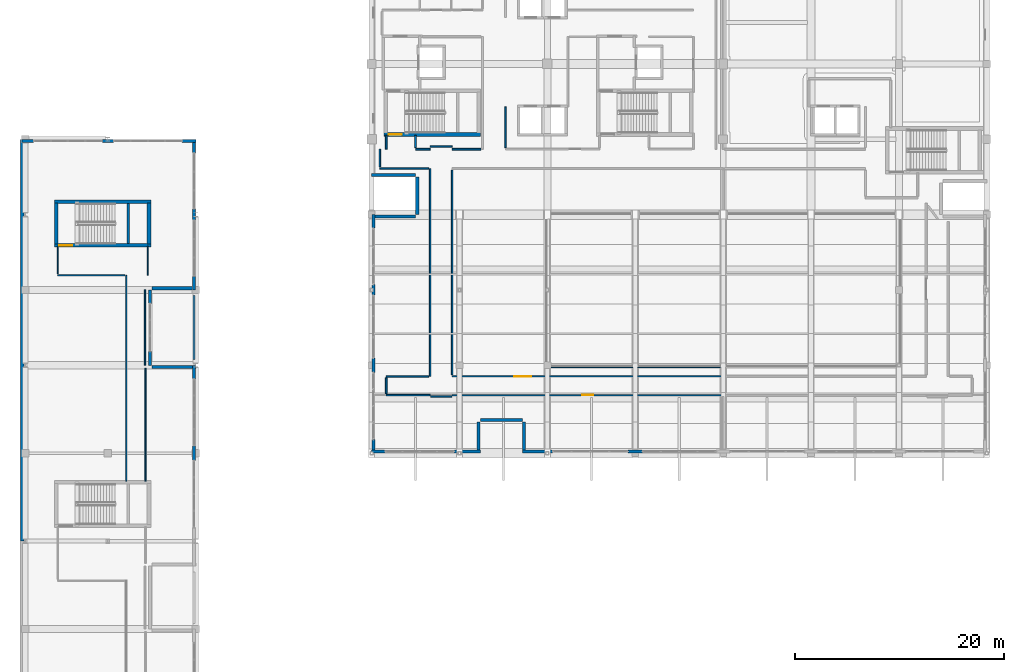
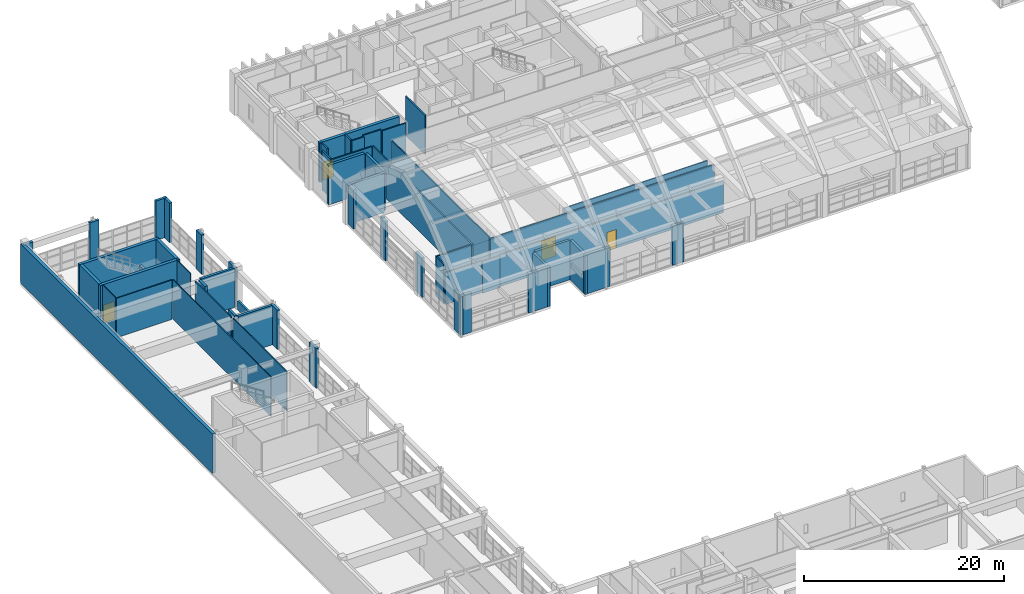
# One storey, part 88 of 103: 57 walls, 4 doors, 4 openings.
"""IFC4 building model written with IfcOpenShell, lengths in metres."""

from ifc_helpers import new_model, si_unit, direction, frame, frame_2d, origin, place, context, subcontext, project, spatial, rectangle, extrude, material, layer, layer_set, type_object, element, fill, save


model = new_model("IFC4")

# Units and contexts
model_context = context("Model", 3, precision=1e-05, world=origin(), true_north=direction((0.0, 1.0)))
body_context = subcontext(model_context, "Body", "Model", "MODEL_VIEW")
ifc_project = project(units=[si_unit("LENGTHUNIT", "METRE"), si_unit("AREAUNIT", "SQUARE_METRE"), si_unit("VOLUMEUNIT", "CUBIC_METRE"), si_unit("PLANEANGLEUNIT", "RADIAN"), si_unit("MASSUNIT", "GRAM", prefix="KILO")], contexts=[model_context])

# Site, building, storey
site_placement = place(None, origin())
site = spatial("IfcSite", under=ifc_project, at=site_placement, CompositionType="ELEMENT")
building_placement = place(site_placement, origin())
building = spatial("IfcBuilding", under=site, at=building_placement, Name="Quendrovan Civic Courthouse", CompositionType="ELEMENT")
storey_placement = place(building_placement, frame((0.0, 0.0, 15.300048828125)))
storey = spatial("IfcBuildingStorey", under=building, at=storey_placement, Name="L04", CompositionType="ELEMENT", Elevation=15.300048828125)

# Wall
ifc_material_1 = material(Name="Acoustic gypsum stud partition")
ifc_layer_1 = layer(ifc_material_1, 0.139892578125, Name="Acoustic gypsum stud partition")
ifc_layer_set_1 = layer_set([ifc_layer_1], Name="Acoustic gypsum stud partition")
wall_type_1 = type_object("IfcWallType", Name="WL-CHM-140", PredefinedType="PARTITIONING", material=ifc_layer_set_1)
wall_1_placement = place(storey_placement, frame((46.39990234375, 94.0, 0.0), z_axis=(0.0, 0.0, 1.0), x_axis=(0.0, 1.0, 0.0)))
element("IfcWall", 1, at=wall_1_placement, inside=storey, type_object=wall_type_1, Name="L04 Judges' Chambers Suite Partition 0609", PredefinedType="PARTITIONING", context=body_context, shape_type="SweptSolid", body=[
    extrude(rectangle(XDim=3.89990234375, YDim=0.139892578125, at=frame_2d((1.949951171875, 0.0))), origin(), (0.0, 0.0, 1.0), 4.820068359375),
])

# Wall, opening, door
ifc_material_2 = material(Name="Concrete C45/55", Category="concrete")
ifc_layer_2 = layer(ifc_material_2, 0.35009765625, Name="Concrete C45/55")
ifc_layer_set_2 = layer_set([ifc_layer_2], Name="Concrete C45/55")
wall_type_2 = type_object("IfcWallType", Name="WL-CORE-350", PredefinedType="SHEAR", material=ifc_layer_set_2)
wall_2_placement = place(storey_placement, frame((34.7900390625, 95.264892578125, 0.0), z_axis=(0.0, 0.0, 1.0), x_axis=(1.0, 0.0, 0.0)))
wall_2 = element("IfcWall", 2, at=wall_2_placement, inside=storey, type_object=wall_type_2, Name="L04 Core Shear Wall ST1-S", PredefinedType="SHEAR", context=body_context, shape_type="SweptSolid", body=[
    extrude(rectangle(XDim=9.219970703125, YDim=0.35009765625, at=frame_2d((4.60986328125, 0.0))), origin(), (0.0, 0.0, 1.0), 4.820068359375),
])
opening_1_placement = place(wall_2_placement, frame((0.449951171875, 0.0, 0.0)))
opening_1 = element("IfcOpeningElement", 3, at=opening_1_placement, cuts=wall_2, Name="Opening DS-ST1-L04", PredefinedType="OPENING", context=body_context, shape_type="SweptSolid", body=[
    extrude(rectangle(XDim=1.25, YDim=2.199951171875, at=frame_2d((0.625, 1.10009765625))), frame((0.0, 0.18505859375, 0.0), z_axis=(0.0, -1.0, 0.0), x_axis=(1.0, 0.0, 0.0)), (0.0, 0.0, 1.0), 0.3701171875),
])
ifc_material_3 = material(Name="Painted galvanized hollow-metal steel", Category="steel")
door_type_1 = type_object("IfcDoorType", Name="DR-STAIR-1250", OperationType="NOTDEFINED", PredefinedType="DOOR", material=ifc_material_3)
door_1_placement = place(opening_1_placement, origin())
door_1 = element("IfcDoor", 4, at=door_1_placement, inside=storey, type_object=door_type_1, Name="L04 Exit Stair ST1 Fire Door", OperationType="SINGLE_SWING_RIGHT", OverallHeight=2.199951171875, OverallWidth=1.25, PredefinedType="DOOR", context=body_context, shape_type="SweptSolid", body=[
    extrude(rectangle(XDim=1.25, YDim=2.199951171875, at=frame_2d((0.625, 1.10009765625))), frame((0.0, 0.02490234375, 0.0), z_axis=(0.0, -1.0, 0.0), x_axis=(1.0, 0.0, 0.0)), (0.0, 0.0, 1.0), 0.050048828125),
])
fill(opening_1, door_1)

wall_3_placement = place(storey_placement, frame((3.2900390625, 84.6650390625, 0.0), z_axis=(0.0, 0.0, 1.0), x_axis=(1.0, 0.0, 0.0)))
wall_3 = element("IfcWall", 5, at=wall_3_placement, inside=storey, type_object=wall_type_2, Name="L04 Core Shear Wall ST8-S", PredefinedType="SHEAR", context=body_context, shape_type="SweptSolid", body=[
    extrude(rectangle(XDim=9.219970703125, YDim=0.35009765625, at=frame_2d((4.60986328125, 0.0))), origin(), (0.0, 0.0, 1.0), 4.820068359375),
])
opening_2_placement = place(wall_3_placement, frame((0.449951171875, 0.0, 0.0)))
opening_2 = element("IfcOpeningElement", 6, at=opening_2_placement, cuts=wall_3, Name="Opening DS-ST8-L04", PredefinedType="OPENING", context=body_context, shape_type="SweptSolid", body=[
    extrude(rectangle(XDim=1.25, YDim=2.199951171875, at=frame_2d((0.625, 1.10009765625))), frame((0.0, 0.18505859375, 0.0), z_axis=(0.0, -1.0, 0.0), x_axis=(1.0, 0.0, 0.0)), (0.0, 0.0, 1.0), 0.3701171875),
])
door_2_placement = place(opening_2_placement, origin())
door_2 = element("IfcDoor", 7, at=door_2_placement, inside=storey, type_object=door_type_1, Name="L04 Exit Stair ST8 Fire Door", OperationType="SINGLE_SWING_LEFT", OverallHeight=2.199951171875, OverallWidth=1.25, PredefinedType="DOOR", context=body_context, shape_type="SweptSolid", body=[
    extrude(rectangle(XDim=1.25, YDim=2.199951171875, at=frame_2d((0.625, 1.10009765625))), frame((0.0, 0.02490234375, 0.0), z_axis=(0.0, -1.0, 0.0), x_axis=(1.0, 0.0, 0.0)), (0.0, 0.0, 1.0), 0.050048828125),
])
fill(opening_2, door_2)

# Walls
wall_4_placement = place(storey_placement, frame((12.510009765625, 88.8349609375, 0.0), z_axis=(0.0, 0.0, 1.0), x_axis=(-1.0, 0.0, 0.0)))
element("IfcWall", 8, at=wall_4_placement, inside=storey, type_object=wall_type_2, Name="L04 Core Shear Wall ST8-N", PredefinedType="SHEAR", context=body_context, shape_type="SweptSolid", body=[
    extrude(rectangle(XDim=9.219970703125, YDim=0.35009765625, at=frame_2d((4.60986328125, 0.0))), origin(), (0.0, 0.0, 1.0), 4.820068359375),
])
for number, where, z_axis, x_axis, name in (
    (9, (3.465087890625, 84.800048828125, 0.0), (0.0, 0.0, 1.0), (0.0, 1.0, 0.0), "L04 Core Shear Wall ST8-W"),
    (10, (12.3349609375, 88.699951171875, 0.0), (0.0, 0.0, 1.0), (0.0, -1.0, 0.0), "L04 Core Shear Wall ST8-E"),
):
    element("IfcWall", number, at=place(storey_placement, frame(where, z_axis=z_axis, x_axis=x_axis)), inside=storey, type_object=wall_type_2, Name=name, PredefinedType="SHEAR", context=body_context, shape_type="SweptSolid", body=[
        extrude(rectangle(XDim=3.89990234375, YDim=0.35009765625, at=frame_2d((1.949951171875, 0.0))), origin(), (0.0, 0.0, 1.0), 4.820068359375),
    ])
ifc_material_4 = material(Name="Precast concrete C45/55", Category="concrete")
ifc_layer_3 = layer(ifc_material_4, 0.2900390625, Name="Precast concrete C45/55")
ifc_layer_set_3 = layer_set([ifc_layer_3], Name="Precast concrete C45/55")
wall_type_3 = type_object("IfcWallType", Name="WL-EXT-PC290", PredefinedType="SOLIDWALL", material=ifc_layer_set_3)
wall_5_placement = place(storey_placement, frame((0.175048828125, 94.635009765625, 0.0), z_axis=(0.0, 0.0, 1.0), x_axis=(1.0, 0.0, 0.0)))
element("IfcWall", 11, at=wall_5_placement, inside=storey, type_object=wall_type_3, Name="L04 Exterior Pier Wall 327", PredefinedType="SOLIDWALL", context=body_context, shape_type="SweptSolid", body=[
    extrude(rectangle(XDim=1.125, YDim=0.2900390625, at=frame_2d((0.5625, 0.0))), origin(), (0.0, 0.0, 1.0), 4.820068359375),
])
wall_6_placement = place(storey_placement, frame((7.863037109375, 94.635009765625, 0.0), z_axis=(0.0, 0.0, 1.0), x_axis=(1.0, 0.0, 0.0)))
element("IfcWall", 12, at=wall_6_placement, inside=storey, type_object=wall_type_3, Name="L04 Exterior Pier Wall 328", PredefinedType="SOLIDWALL", context=body_context, shape_type="SweptSolid", body=[
    extrude(rectangle(XDim=1.073974609375, YDim=0.2900390625, at=frame_2d((0.537109375, 0.0))), origin(), (0.0, 0.0, 1.0), 4.820068359375),
])
for number, where, z_axis, x_axis, name in (
    (13, (15.5, 94.635009765625, 0.0), (0.0, 0.0, 1.0), (1.0, 0.0, 0.0), "L04 Exterior Pier Wall 329"),
    (14, (16.635009765625, 94.800048828125, 0.0), (0.0, 0.0, 1.0), (0.0, -1.0, 0.0), "L04 Exterior Pier Wall 330"),
):
    element("IfcWall", number, at=place(storey_placement, frame(where, z_axis=z_axis, x_axis=x_axis)), inside=storey, type_object=wall_type_3, Name=name, PredefinedType="SOLIDWALL", context=body_context, shape_type="SweptSolid", body=[
        extrude(rectangle(XDim=1.300048828125, YDim=0.2900390625, at=frame_2d((0.64990234375, 0.0))), origin(), (0.0, 0.0, 1.0), 4.820068359375),
    ])
wall_7_placement = place(storey_placement, frame((16.635009765625, 88.136962890625, 0.0), z_axis=(0.0, 0.0, 1.0), x_axis=(0.0, -1.0, 0.0)))
element("IfcWall", 15, at=wall_7_placement, inside=storey, type_object=wall_type_3, Name="L04 Exterior Pier Wall 331", PredefinedType="SOLIDWALL", context=body_context, shape_type="SweptSolid", body=[
    extrude(rectangle(XDim=1.073974609375, YDim=0.2900390625, at=frame_2d((0.537109375, 0.0))), origin(), (0.0, 0.0, 1.0), 4.820068359375),
])
wall_8_placement = place(storey_placement, frame((16.635009765625, 81.699951171875, 0.0), z_axis=(0.0, 0.0, 1.0), x_axis=(0.0, -1.0, 0.0)))
element("IfcWall", 16, at=wall_8_placement, inside=storey, type_object=wall_type_3, Name="L04 Exterior Pier Wall 332", PredefinedType="SOLIDWALL", context=body_context, shape_type="SweptSolid", body=[
    extrude(rectangle(XDim=1.300048828125, YDim=0.2900390625, at=frame_2d((0.64990234375, 0.0))), origin(), (0.0, 0.0, 1.0), 4.820068359375),
])
wall_9_placement = place(storey_placement, frame((16.800048828125, 80.56494140625, 0.0), z_axis=(0.0, 0.0, 1.0), x_axis=(-1.0, 0.0, 0.0)))
element("IfcWall", 17, at=wall_9_placement, inside=storey, type_object=wall_type_3, Name="L04 Exterior Civic Portal Wall 333", PredefinedType="SOLIDWALL", context=body_context, shape_type="SweptSolid", body=[
    extrude(rectangle(XDim=4.199951171875, YDim=0.2900390625, at=frame_2d((2.10009765625, 0.0))), origin(), (0.0, 0.0, 1.0), 4.820068359375),
])
wall_10_placement = place(storey_placement, frame((12.43505859375, 80.39990234375, 0.0), z_axis=(0.0, 0.0, 1.0), x_axis=(0.0, -1.0, 0.0)))
element("IfcWall", 18, at=wall_10_placement, inside=storey, type_object=wall_type_3, Name="L04 Exterior Pier Wall 334", PredefinedType="SOLIDWALL", context=body_context, shape_type="SweptSolid", body=[
    extrude(rectangle(XDim=1.2998046875, YDim=0.2900390625, at=frame_2d((0.64990234375, 0.0))), origin(), (0.0, 0.0, 1.0), 4.820068359375),
])
wall_11_placement = place(storey_placement, frame((12.43505859375, 74.5, 0.0), z_axis=(0.0, 0.0, 1.0), x_axis=(0.0, -1.0, 0.0)))
element("IfcWall", 19, at=wall_11_placement, inside=storey, type_object=wall_type_3, Name="L04 Exterior Pier Wall 335", PredefinedType="SOLIDWALL", context=body_context, shape_type="SweptSolid", body=[
    extrude(rectangle(XDim=1.300048828125, YDim=0.2900390625, at=frame_2d((0.64990234375, 0.0))), origin(), (0.0, 0.0, 1.0), 4.820068359375),
])
wall_12_placement = place(storey_placement, frame((12.60009765625, 73.034912109375, 0.0), z_axis=(0.0, 0.0, 1.0), x_axis=(1.0, 0.0, 0.0)))
element("IfcWall", 20, at=wall_12_placement, inside=storey, type_object=wall_type_3, Name="L04 Exterior Civic Portal Wall 336", PredefinedType="SOLIDWALL", context=body_context, shape_type="SweptSolid", body=[
    extrude(rectangle(XDim=4.199951171875, YDim=0.2900390625, at=frame_2d((2.10009765625, 0.0))), origin(), (0.0, 0.0, 1.0), 4.820068359375),
])
wall_13_placement = place(storey_placement, frame((16.635009765625, 73.199951171875, 0.0), z_axis=(0.0, 0.0, 1.0), x_axis=(0.0, -1.0, 0.0)))
element("IfcWall", 21, at=wall_13_placement, inside=storey, type_object=wall_type_3, Name="L04 Exterior Pier Wall 337", PredefinedType="SOLIDWALL", context=body_context, shape_type="SweptSolid", body=[
    extrude(rectangle(XDim=1.300048828125, YDim=0.2900390625, at=frame_2d((0.64990234375, 0.0))), origin(), (0.0, 0.0, 1.0), 4.820068359375),
])
wall_14_placement = place(storey_placement, frame((16.635009765625, 65.5, 0.0), z_axis=(0.0, 0.0, 1.0), x_axis=(0.0, -1.0, 0.0)))
element("IfcWall", 22, at=wall_14_placement, inside=storey, type_object=wall_type_3, Name="L04 Exterior Pier Wall 338", PredefinedType="SOLIDWALL", context=body_context, shape_type="SweptSolid", body=[
    extrude(rectangle(XDim=1.39990234375, YDim=0.2900390625, at=frame_2d((0.699951171875, 0.0))), origin(), (0.0, 0.0, 1.0), 4.820068359375),
])
wall_15_placement = place(storey_placement, frame((59.47509765625, 64.965087890625, 0.0), z_axis=(0.0, 0.0, 1.0), x_axis=(-1.0, 0.0, 0.0)))
element("IfcWall", 23, at=wall_15_placement, inside=storey, type_object=wall_type_3, Name="L04 Exterior Pier Wall 377", PredefinedType="SOLIDWALL", context=body_context, shape_type="SweptSolid", body=[
    extrude(rectangle(XDim=1.35009765625, YDim=0.2900390625, at=frame_2d((0.675048828125, 0.0))), origin(), (0.0, 0.0, 1.0), 4.820068359375),
])
wall_16_placement = place(storey_placement, frame((50.89990234375, 64.965087890625, 0.0), z_axis=(0.0, 0.0, 1.0), x_axis=(-1.0, 0.0, 0.0)))
element("IfcWall", 24, at=wall_16_placement, inside=storey, type_object=wall_type_3, Name="L04 Exterior Pier Wall 378", PredefinedType="SOLIDWALL", context=body_context, shape_type="SweptSolid", body=[
    extrude(rectangle(XDim=2.89990234375, YDim=0.2900390625, at=frame_2d((1.449951171875, 0.0))), origin(), (0.0, 0.0, 1.0), 4.820068359375),
])
wall_17_placement = place(storey_placement, frame((48.1650390625, 64.800048828125, 0.0), z_axis=(0.0, 0.0, 1.0), x_axis=(0.0, 1.0, 0.0)))
element("IfcWall", 25, at=wall_17_placement, inside=storey, type_object=wall_type_3, Name="L04 Exterior Civic Portal Wall 379", PredefinedType="SOLIDWALL", context=body_context, shape_type="SweptSolid", body=[
    extrude(rectangle(XDim=3.0, YDim=0.2900390625, at=frame_2d((1.5, 0.0))), origin(), (0.0, 0.0, 1.0), 4.820068359375),
])
wall_18_placement = place(storey_placement, frame((48.0, 67.965087890625, 0.0), z_axis=(0.0, 0.0, 1.0), x_axis=(-1.0, 0.0, 0.0)))
element("IfcWall", 26, at=wall_18_placement, inside=storey, type_object=wall_type_3, Name="L04 Exterior Civic Portal Wall 380", PredefinedType="SOLIDWALL", context=body_context, shape_type="SweptSolid", body=[
    extrude(rectangle(XDim=4.0, YDim=0.2900390625, at=frame_2d((2.0, 0.0))), origin(), (0.0, 0.0, 1.0), 4.820068359375),
])
wall_19_placement = place(storey_placement, frame((43.8349609375, 67.800048828125, 0.0), z_axis=(0.0, 0.0, 1.0), x_axis=(0.0, -1.0, 0.0)))
element("IfcWall", 27, at=wall_19_placement, inside=storey, type_object=wall_type_3, Name="L04 Exterior Civic Portal Wall 381", PredefinedType="SOLIDWALL", context=body_context, shape_type="SweptSolid", body=[
    extrude(rectangle(XDim=3.0, YDim=0.2900390625, at=frame_2d((1.5, 0.0))), origin(), (0.0, 0.0, 1.0), 4.820068359375),
])
wall_20_placement = place(storey_placement, frame((44.0, 64.965087890625, 0.0), z_axis=(0.0, 0.0, 1.0), x_axis=(-1.0, 0.0, 0.0)))
element("IfcWall", 28, at=wall_20_placement, inside=storey, type_object=wall_type_3, Name="L04 Exterior Pier Wall 382", PredefinedType="SOLIDWALL", context=body_context, shape_type="SweptSolid", body=[
    extrude(rectangle(XDim=2.5, YDim=0.2900390625, at=frame_2d((1.25, 0.0))), origin(), (0.0, 0.0, 1.0), 4.820068359375),
])
wall_21_placement = place(storey_placement, frame((34.89990234375, 64.965087890625, 0.0), z_axis=(0.0, 0.0, 1.0), x_axis=(-1.0, 0.0, 0.0)))
element("IfcWall", 29, at=wall_21_placement, inside=storey, type_object=wall_type_3, Name="L04 Exterior Pier Wall 383", PredefinedType="SOLIDWALL", context=body_context, shape_type="SweptSolid", body=[
    extrude(rectangle(XDim=1.2998046875, YDim=0.2900390625, at=frame_2d((0.64990234375, 0.0))), origin(), (0.0, 0.0, 1.0), 4.820068359375),
])
wall_22_placement = place(storey_placement, frame((33.764892578125, 64.800048828125, 0.0), z_axis=(0.0, 0.0, 1.0), x_axis=(0.0, 1.0, 0.0)))
element("IfcWall", 30, at=wall_22_placement, inside=storey, type_object=wall_type_3, Name="L04 Exterior Pier Wall 384", PredefinedType="SOLIDWALL", context=body_context, shape_type="SweptSolid", body=[
    extrude(rectangle(XDim=1.300048828125, YDim=0.2900390625, at=frame_2d((0.64990234375, 0.0))), origin(), (0.0, 0.0, 1.0), 4.820068359375),
])
wall_23_placement = place(storey_placement, frame((33.764892578125, 72.52490234375, 0.0), z_axis=(0.0, 0.0, 1.0), x_axis=(0.0, 1.0, 0.0)))
element("IfcWall", 31, at=wall_23_placement, inside=storey, type_object=wall_type_3, Name="L04 Exterior Pier Wall 385", PredefinedType="SOLIDWALL", context=body_context, shape_type="SweptSolid", body=[
    extrude(rectangle(XDim=1.35009765625, YDim=0.2900390625, at=frame_2d((0.675048828125, 0.0))), origin(), (0.0, 0.0, 1.0), 4.820068359375),
])
wall_24_placement = place(storey_placement, frame((33.764892578125, 79.89990234375, 0.0), z_axis=(0.0, 0.0, 1.0), x_axis=(0.0, 1.0, 0.0)))
element("IfcWall", 32, at=wall_24_placement, inside=storey, type_object=wall_type_3, Name="L04 Exterior Pier Wall 386", PredefinedType="SOLIDWALL", context=body_context, shape_type="SweptSolid", body=[
    extrude(rectangle(XDim=1.0, YDim=0.2900390625, at=frame_2d((0.5, 0.0))), origin(), (0.0, 0.0, 1.0), 4.820068359375),
])
wall_25_placement = place(storey_placement, frame((33.764892578125, 86.300048828125, 0.0), z_axis=(0.0, 0.0, 1.0), x_axis=(0.0, 1.0, 0.0)))
element("IfcWall", 33, at=wall_25_placement, inside=storey, type_object=wall_type_3, Name="L04 Exterior Pier Wall 387", PredefinedType="SOLIDWALL", context=body_context, shape_type="SweptSolid", body=[
    extrude(rectangle(XDim=1.300048828125, YDim=0.2900390625, at=frame_2d((0.64990234375, 0.0))), origin(), (0.0, 0.0, 1.0), 4.820068359375),
])
ifc_layer_4 = layer(ifc_material_4, 0.320068359375, Name="Precast concrete C45/55")
ifc_layer_set_4 = layer_set([ifc_layer_4], Name="Precast concrete C45/55")
wall_type_4 = type_object("IfcWallType", Name="WL-EXT-PC320", PredefinedType="SOLIDWALL", material=ifc_layer_set_4)
for number, where, z_axis, x_axis, name in (
    (34, (37.800048828125, 91.3798828125, 0.0), (0.0, 0.0, 1.0), (-1.0, 0.0, 0.0), "L04 Exterior Precast Concrete Wall 361"),
    (35, (33.60009765625, 87.419921875, 0.0), (0.0, 0.0, 1.0), (1.0, 0.0, 0.0), "L04 Exterior Precast Concrete Wall 388"),
):
    element("IfcWall", number, at=place(storey_placement, frame(where, z_axis=z_axis, x_axis=x_axis)), inside=storey, type_object=wall_type_4, Name=name, PredefinedType="SOLIDWALL", context=body_context, shape_type="SweptSolid", body=[
        extrude(rectangle(XDim=4.199951171875, YDim=0.320068359375, at=frame_2d((2.10009765625, 0.0))), origin(), (0.0, 0.0, 1.0), 4.820068359375),
    ])
wall_26_placement = place(storey_placement, frame((37.97998046875, 87.60009765625, 0.0), z_axis=(0.0, 0.0, 1.0), x_axis=(0.0, 1.0, 0.0)))
element("IfcWall", 36, at=wall_26_placement, inside=storey, type_object=wall_type_4, Name="L04 Exterior Precast Concrete Wall 389", PredefinedType="SOLIDWALL", context=body_context, shape_type="SweptSolid", body=[
    extrude(rectangle(XDim=3.599853515625, YDim=0.320068359375, at=frame_2d((1.7998046875, 0.0))), origin(), (0.0, 0.0, 1.0), 4.820068359375),
])

# Wall, opening, door
ifc_layer_5 = layer(ifc_material_1, 0.14990234375, Name="Acoustic gypsum stud partition")
ifc_layer_set_5 = layer_set([ifc_layer_5], Name="Acoustic gypsum stud partition")
wall_type_5 = type_object("IfcWallType", Name="WL-JURY-150", PredefinedType="PARTITIONING", material=ifc_layer_set_5)
wall_27_placement = place(storey_placement, frame((41.300048828125, 70.35009765625, 0.0), z_axis=(0.0, 0.0, 1.0), x_axis=(1.0, 0.0, 0.0)))
wall_27 = element("IfcWall", 37, at=wall_27_placement, inside=storey, type_object=wall_type_5, Name="L04 Jury Room Partition 0545", PredefinedType="PARTITIONING", context=body_context, shape_type="SweptSolid", body=[
    extrude(rectangle(XDim=25.89990234375, YDim=0.14990234375, at=frame_2d((12.949951171875, 0.0))), origin(), (0.0, 0.0, 1.0), 3.889892578125),
])
opening_3_placement = place(wall_27_placement, frame((12.409912109375, 0.0, 0.0)))
opening_3 = element("IfcOpeningElement", 38, at=opening_3_placement, cuts=wall_27, Name="Opening D-L04-081", PredefinedType="OPENING", context=body_context, shape_type="SweptSolid", body=[
    extrude(rectangle(XDim=1.080078125, YDim=2.280029296875, at=frame_2d((0.5400390625, 1.14013671875))), frame((0.0, 0.0849609375, 0.0), z_axis=(0.0, -1.0, 0.0), x_axis=(1.0, 0.0, 0.0)), (0.0, 0.0, 1.0), 0.169921875),
])
ifc_material_5 = material(Name="Acoustic solid timber door", Category="wood")
door_type_2 = type_object("IfcDoorType", Name="DR-JURY-1080", OperationType="NOTDEFINED", PredefinedType="DOOR", material=ifc_material_5)
door_3_placement = place(opening_3_placement, origin())
door_3 = element("IfcDoor", 39, at=door_3_placement, inside=storey, type_object=door_type_2, Name="L04 Jury Room Door D-L04-081", OperationType="SINGLE_SWING_RIGHT", OverallHeight=2.280029296875, OverallWidth=1.080078125, PredefinedType="DOOR", context=body_context, shape_type="SweptSolid", body=[
    extrude(rectangle(XDim=1.080078125, YDim=2.280029296875, at=frame_2d((0.5400390625, 1.14013671875))), frame((0.0, 0.02490234375, 0.0), z_axis=(0.0, -1.0, 0.0), x_axis=(1.0, 0.0, 0.0)), (0.0, 0.0, 1.0), 0.050048828125),
])
fill(opening_3, door_3)

# Walls
wall_28_placement = place(storey_placement, frame((39.199951171875, 92.0, 0.0), z_axis=(0.0, 0.0, 1.0), x_axis=(0.0, -1.0, 0.0)))
element("IfcWall", 40, at=wall_28_placement, inside=storey, type_object=wall_type_5, Name="L04 Jury Room Partition 0548", PredefinedType="PARTITIONING", context=body_context, shape_type="SweptSolid", body=[
    extrude(rectangle(XDim=19.85009765625, YDim=0.14990234375, at=frame_2d((9.925048828125, 0.0))), origin(), (0.0, 0.0, 1.0), 4.820068359375),
])
wall_29_placement = place(storey_placement, frame((34.39990234375, 92.0, 0.0), z_axis=(0.0, 0.0, 1.0), x_axis=(1.0, 0.0, 0.0)))
element("IfcWall", 41, at=wall_29_placement, inside=storey, type_object=wall_type_5, Name="L04 Jury Room Partition 0598", PredefinedType="PARTITIONING", context=body_context, shape_type="SweptSolid", body=[
    extrude(rectangle(XDim=4.64501953125, YDim=0.14990234375, at=frame_2d((2.322509765625, 0.0))), origin(), (0.0, 0.0, 1.0), 4.820068359375),
])
wall_30_placement = place(storey_placement, frame((39.044921875, 72.14990234375, 0.0), z_axis=(0.0, 0.0, 1.0), x_axis=(-1.0, 0.0, 0.0)))
element("IfcWall", 42, at=wall_30_placement, inside=storey, type_object=wall_type_5, Name="L04 Jury Room Partition 0606", PredefinedType="PARTITIONING", context=body_context, shape_type="SweptSolid", body=[
    extrude(rectangle(XDim=4.044921875, YDim=0.14990234375, at=frame_2d((2.0224609375, 0.0))), origin(), (0.0, 0.0, 1.0), 4.820068359375),
])
wall_31_placement = place(storey_placement, frame((35.0, 70.35009765625, 0.0), z_axis=(0.0, 0.0, 1.0), x_axis=(1.0, 0.0, 0.0)))
element("IfcWall", 43, at=wall_31_placement, inside=storey, type_object=wall_type_5, Name="L04 Jury Room Partition 0607", PredefinedType="PARTITIONING", context=body_context, shape_type="SweptSolid", body=[
    extrude(rectangle(XDim=4.199951171875, YDim=0.14990234375, at=frame_2d((2.10009765625, 0.0))), origin(), (0.0, 0.0, 1.0), 3.889892578125),
])
wall_32_placement = place(storey_placement, frame((44.044921875, 93.85009765625, 0.0), z_axis=(0.0, 0.0, 1.0), x_axis=(-1.0, 0.0, 0.0)))
element("IfcWall", 44, at=wall_32_placement, inside=storey, type_object=wall_type_5, Name="L04 Jury Room Partition 0622", PredefinedType="PARTITIONING", context=body_context, shape_type="SweptSolid", body=[
    extrude(rectangle(XDim=2.744873046875, YDim=0.14990234375, at=frame_2d((1.37255859375, 0.0))), origin(), (0.0, 0.0, 1.0), 4.820068359375),
])
wall_33_placement = place(storey_placement, frame((41.300048828125, 94.10009765625, 0.0), z_axis=(0.0, 0.0, 1.0), x_axis=(-1.0, 0.0, 0.0)))
element("IfcWall", 45, at=wall_33_placement, inside=storey, type_object=wall_type_5, Name="L04 Jury Room Partition 0642", PredefinedType="PARTITIONING", context=body_context, shape_type="SweptSolid", body=[
    extrude(rectangle(XDim=2.10009765625, YDim=0.14990234375, at=frame_2d((1.050048828125, 0.0))), origin(), (0.0, 0.0, 1.0), 4.820068359375),
])
wall_34_placement = place(storey_placement, frame((39.23828125, 70.199951171875, 0.0), z_axis=(0.0, 0.0, 1.0), x_axis=(1.0, 0.0, 0.0)))
element("IfcWall", 46, at=wall_34_placement, inside=storey, type_object=wall_type_5, Name="L04 Jury Room Partition 0643", PredefinedType="PARTITIONING", context=body_context, shape_type="SweptSolid", body=[
    extrude(rectangle(XDim=2.0234375, YDim=0.14990234375, at=frame_2d((1.01171875, 0.0))), origin(), (0.0, 0.0, 1.0), 3.889892578125),
])
wall_35_placement = place(storey_placement, frame((34.39990234375, 93.85009765625, 0.0), z_axis=(0.0, 0.0, 1.0), x_axis=(0.0, -1.0, 0.0)))
element("IfcWall", 47, at=wall_35_placement, inside=storey, type_object=wall_type_5, Name="L04 Jury Room Partition 0648", PredefinedType="PARTITIONING", context=body_context, shape_type="SweptSolid", body=[
    extrude(rectangle(XDim=1.695068359375, YDim=0.14990234375, at=frame_2d((0.84765625, 0.0))), origin(), (0.0, 0.0, 1.0), 4.820068359375),
])
wall_36_placement = place(storey_placement, frame((35.0, 71.9951171875, 0.0), z_axis=(0.0, 0.0, 1.0), x_axis=(0.0, -1.0, 0.0)))
element("IfcWall", 48, at=wall_36_placement, inside=storey, type_object=wall_type_5, Name="L04 Jury Room Partition 0650", PredefinedType="PARTITIONING", context=body_context, shape_type="SweptSolid", body=[
    extrude(rectangle(XDim=1.490234375, YDim=0.14990234375, at=frame_2d((0.7451171875, 0.0))), origin(), (0.0, 0.0, 1.0), 4.820068359375),
])
wall_37_placement = place(storey_placement, frame((39.199951171875, 93.85009765625, 0.0), z_axis=(0.0, 0.0, 1.0), x_axis=(-1.0, 0.0, 0.0)))
element("IfcWall", 49, at=wall_37_placement, inside=storey, type_object=wall_type_5, Name="L04 Jury Room Partition 0655", PredefinedType="PARTITIONING", context=body_context, shape_type="SweptSolid", body=[
    extrude(rectangle(XDim=1.39990234375, YDim=0.14990234375, at=frame_2d((0.699951171875, 0.0))), origin(), (0.0, 0.0, 1.0), 4.820068359375),
])
wall_38_placement = place(storey_placement, frame((37.800048828125, 94.0048828125, 0.0), z_axis=(0.0, 0.0, 1.0), x_axis=(0.0, 1.0, 0.0)))
element("IfcWall", 50, at=wall_38_placement, inside=storey, type_object=wall_type_5, Name="L04 Jury Room Partition 0656", PredefinedType="PARTITIONING", context=body_context, shape_type="SweptSolid", body=[
    extrude(rectangle(XDim=1.175048828125, YDim=0.14990234375, at=frame_2d((0.58740234375, 0.0))), origin(), (0.0, 0.0, 1.0), 4.820068359375),
])
wall_39_placement = place(storey_placement, frame((35.0, 95.179931640625, 0.0), z_axis=(0.0, 0.0, 1.0), x_axis=(0.0, -1.0, 0.0)))
element("IfcWall", 51, at=wall_39_placement, inside=storey, type_object=wall_type_5, Name="L04 Jury Room Partition 0657", PredefinedType="PARTITIONING", context=body_context, shape_type="SweptSolid", body=[
    extrude(rectangle(XDim=1.329833984375, YDim=0.14990234375, at=frame_2d((0.6650390625, 0.0))), origin(), (0.0, 0.0, 1.0), 4.820068359375),
])
ifc_layer_6 = layer(ifc_material_4, 0.2099609375, Name="Precast concrete C45/55")
ifc_layer_set_6 = layer_set([ifc_layer_6], Name="Precast concrete C45/55")
wall_type_6 = type_object("IfcWallType", Name="WL-PARAPET-210", PredefinedType="PARAPET", material=ifc_layer_set_6)
wall_40_placement = place(storey_placement, frame((16.6201171875, 79.860107421875, 0.0), z_axis=(0.0, 0.0, 1.0), x_axis=(0.0, -1.0, 0.0)))
element("IfcWall", 52, at=wall_40_placement, inside=storey, type_object=wall_type_6, Name="L04 Precast Roof Parapet Wall 45", PredefinedType="PARAPET", context=body_context, shape_type="SweptSolid", body=[
    extrude(rectangle(XDim=6.1201171875, YDim=0.2099609375, at=frame_2d((3.06005859375, 0.0))), origin(), (0.0, 0.0, 1.0), 1.119873046875),
])
ifc_material_6 = material(Name="Concrete C40/50", Category="concrete")
ifc_layer_7 = layer(ifc_material_6, 0.360107421875, Name="Concrete C40/50")
ifc_layer_set_7 = layer_set([ifc_layer_7], Name="Concrete C40/50")
wall_type_7 = type_object("IfcWallType", Name="WL-PARTY-360", PredefinedType="SOLIDWALL", material=ifc_layer_set_7)
wall_41_placement = place(storey_placement, frame((0.2099609375, 56.39990234375, 0.0), z_axis=(0.0, 0.0, 1.0), x_axis=(0.0, 1.0, 0.0)))
element("IfcWall", 53, at=wall_41_placement, inside=storey, type_object=wall_type_7, Name="L04 Fire-Rated Boundary Party Wall 326", PredefinedType="SOLIDWALL", context=body_context, shape_type="SweptSolid", body=[
    extrude(rectangle(XDim=38.400146484375, YDim=0.360107421875, at=frame_2d((19.2001953125, 0.0))), origin(), (0.0, 0.0, 1.0), 4.820068359375),
])

# Wall, opening, door
ifc_material_7 = material(Name="Gypsum stud partition")
ifc_layer_8 = layer(ifc_material_7, 0.1298828125, Name="Gypsum stud partition")
ifc_layer_set_8 = layer_set([ifc_layer_8], Name="Gypsum stud partition")
wall_type_8 = type_object("IfcWallType", Name="WL-REG-130", PredefinedType="PARTITIONING", material=ifc_layer_set_8)
wall_42_placement = place(storey_placement, frame((67.199951171875, 72.14990234375, 0.0), z_axis=(0.0, 0.0, 1.0), x_axis=(-1.0, 0.0, 0.0)))
wall_42 = element("IfcWall", 54, at=wall_42_placement, inside=storey, type_object=wall_type_8, Name="L04 Public Hall Clerestory Promenade Partition 0546", PredefinedType="PARTITIONING", context=body_context, shape_type="SweptSolid", body=[
    extrude(rectangle(XDim=25.89990234375, YDim=0.1298828125, at=frame_2d((12.949951171875, 0.0))), origin(), (0.0, 0.0, 1.0), 4.820068359375),
])
opening_4_placement = place(wall_42_placement, frame((18.345947265625, 0.0, 0.0)))
opening_4 = element("IfcOpeningElement", 55, at=opening_4_placement, cuts=wall_42, Name="Opening D-L04-083", PredefinedType="OPENING", context=body_context, shape_type="SweptSolid", body=[
    extrude(rectangle(XDim=1.639892578125, YDim=2.419921875, at=frame_2d((0.81982421875, 1.2099609375))), frame((0.0, 0.074951171875, 0.0), z_axis=(0.0, -1.0, 0.0), x_axis=(1.0, 0.0, 0.0)), (0.0, 0.0, 1.0), 0.14990234375),
])
ifc_material_8 = material(Name="Bronze-anodised aluminium glazed door", Category="aluminium")
door_type_3 = type_object("IfcDoorType", Name="DR-REG-1640", OperationType="NOTDEFINED", PredefinedType="DOOR", material=ifc_material_8)
door_4_placement = place(opening_4_placement, origin())
door_4 = element("IfcDoor", 56, at=door_4_placement, inside=storey, type_object=door_type_3, Name="L04 Public Hall Clerestory Promenade Door D-L04-083", OperationType="SINGLE_SWING_RIGHT", OverallHeight=2.419921875, OverallWidth=1.639892578125, PredefinedType="DOOR", context=body_context, shape_type="SweptSolid", body=[
    extrude(rectangle(XDim=1.639892578125, YDim=2.419921875, at=frame_2d((0.81982421875, 1.2099609375))), frame((0.0, 0.02490234375, 0.0), z_axis=(0.0, -1.0, 0.0), x_axis=(1.0, 0.0, 0.0)), (0.0, 0.0, 1.0), 0.050048828125),
])
fill(opening_4, door_4)

# Walls
wall_43_placement = place(storey_placement, frame((41.300048828125, 72.294921875, 0.0), z_axis=(0.0, 0.0, 1.0), x_axis=(0.0, 1.0, 0.0)))
element("IfcWall", 57, at=wall_43_placement, inside=storey, type_object=wall_type_8, Name="L04 Public Hall Clerestory Promenade Partition 0549", PredefinedType="PARTITIONING", context=body_context, shape_type="SweptSolid", body=[
    extrude(rectangle(XDim=19.56005859375, YDim=0.1298828125, at=frame_2d((9.780029296875, 0.0))), origin(), (0.0, 0.0, 1.0), 4.820068359375),
])
wall_44_placement = place(storey_placement, frame((50.300048828125, 73.0400390625, 0.0), z_axis=(0.0, 0.0, 1.0), x_axis=(1.0, 0.0, 0.0)))
element("IfcWall", 58, at=wall_44_placement, inside=storey, type_object=wall_type_8, Name="L04 Public Hall Clerestory Promenade Partition 0558", PredefinedType="PARTITIONING", context=body_context, shape_type="SweptSolid", body=[
    extrude(rectangle(XDim=16.6298828125, YDim=0.1298828125, at=frame_2d((8.31494140625, 0.0))), origin(), (0.0, 0.0, 1.0), 4.820068359375),
])
ifc_layer_9 = layer(ifc_material_2, 0.25, Name="Concrete C45/55")
ifc_layer_set_9 = layer_set([ifc_layer_9], Name="Concrete C45/55")
wall_type_9 = type_object("IfcWallType", Name="WL-SHAFT-250", PredefinedType="SHEAR", material=ifc_layer_set_9)
wall_45_placement = place(storey_placement, frame((10.35009765625, 84.85009765625, 0.0), z_axis=(0.0, 0.0, 1.0), x_axis=(0.0, 1.0, 0.0)))
element("IfcWall", 59, at=wall_45_placement, inside=storey, type_object=wall_type_9, Name="L04 Stair ST8 Mid-Landing Bearing Wall", PredefinedType="SHEAR", context=body_context, shape_type="SweptSolid", body=[
    extrude(rectangle(XDim=3.7998046875, YDim=0.25, at=frame_2d((1.89990234375, 0.0))), origin(), (0.0, 0.0, 1.0), 2.369873046875),
])
ifc_material_9 = material(Name="Moisture-resistant tile-backer partition")
ifc_layer_10 = layer(ifc_material_9, 0.110107421875, Name="Moisture-resistant tile-backer partition")
ifc_layer_set_10 = layer_set([ifc_layer_10], Name="Moisture-resistant tile-backer partition")
wall_type_10 = type_object("IfcWallType", Name="WL-WET-110", PredefinedType="PARTITIONING", material=ifc_layer_set_10)
wall_46_placement = place(storey_placement, frame((10.14990234375, 81.800048828125, 0.0), z_axis=(0.0, 0.0, 1.0), x_axis=(0.0, -1.0, 0.0)))
element("IfcWall", 60, at=wall_46_placement, inside=storey, type_object=wall_type_10, Name="L04 Judicial Law Clerks Office Partition 0550", PredefinedType="PARTITIONING", context=body_context, shape_type="SweptSolid", body=[
    extrude(rectangle(XDim=19.679931640625, YDim=0.110107421875, at=frame_2d((9.83984375, 0.0))), origin(), (0.0, 0.0, 1.0), 4.820068359375),
])
wall_47_placement = place(storey_placement, frame((12.0, 62.1201171875, 0.0), z_axis=(0.0, 0.0, 1.0), x_axis=(0.0, 1.0, 0.0)))
element("IfcWall", 61, at=wall_47_placement, inside=storey, type_object=wall_type_10, Name="L04 Judicial Law Clerks Office Partition 0571", PredefinedType="PARTITIONING", context=body_context, shape_type="SweptSolid", body=[
    extrude(rectangle(XDim=10.809814453125, YDim=0.110107421875, at=frame_2d((5.40478515625, 0.0))), origin(), (0.0, 0.0, 1.0), 4.820068359375),
])
wall_48_placement = place(storey_placement, frame((11.949951171875, 73.199951171875, 0.0), z_axis=(0.0, 0.0, 1.0), x_axis=(0.0, 1.0, 0.0)))
element("IfcWall", 62, at=wall_48_placement, inside=storey, type_object=wall_type_10, Name="L04 Judicial Law Clerks Office Partition 0584", PredefinedType="PARTITIONING", context=body_context, shape_type="SweptSolid", body=[
    extrude(rectangle(XDim=7.199951171875, YDim=0.110107421875, at=frame_2d((3.60009765625, 0.0))), origin(), (0.0, 0.0, 1.0), 4.820068359375),
])
wall_49_placement = place(storey_placement, frame((3.60009765625, 81.800048828125, 0.0), z_axis=(0.0, 0.0, 1.0), x_axis=(1.0, 0.0, 0.0)))
element("IfcWall", 63, at=wall_49_placement, inside=storey, type_object=wall_type_10, Name="L04 Judicial Law Clerks Office Partition 0586", PredefinedType="PARTITIONING", context=body_context, shape_type="SweptSolid", body=[
    extrude(rectangle(XDim=6.414794921875, YDim=0.110107421875, at=frame_2d((3.20751953125, 0.0))), origin(), (0.0, 0.0, 1.0), 4.820068359375),
])
wall_50_placement = place(storey_placement, frame((12.199951171875, 81.800048828125, 0.0), z_axis=(0.0, 0.0, 1.0), x_axis=(0.0, 1.0, 0.0)))
element("IfcWall", 64, at=wall_50_placement, inside=storey, type_object=wall_type_10, Name="L04 Judicial Law Clerks Office Partition 0627", PredefinedType="PARTITIONING", context=body_context, shape_type="SweptSolid", body=[
    extrude(rectangle(XDim=2.780029296875, YDim=0.110107421875, at=frame_2d((1.39013671875, 0.0))), origin(), (0.0, 0.0, 1.0), 4.820068359375),
])
wall_51_placement = place(storey_placement, frame((3.60009765625, 84.580078125, 0.0), z_axis=(0.0, 0.0, 1.0), x_axis=(0.0, -1.0, 0.0)))
element("IfcWall", 65, at=wall_51_placement, inside=storey, type_object=wall_type_10, Name="L04 Judicial Law Clerks Office Partition 0628", PredefinedType="PARTITIONING", context=body_context, shape_type="SweptSolid", body=[
    extrude(rectangle(XDim=2.64501953125, YDim=0.110107421875, at=frame_2d((1.322509765625, 0.0))), origin(), (0.0, 0.0, 1.0), 4.820068359375),
])

save(model, "model.ifc")
